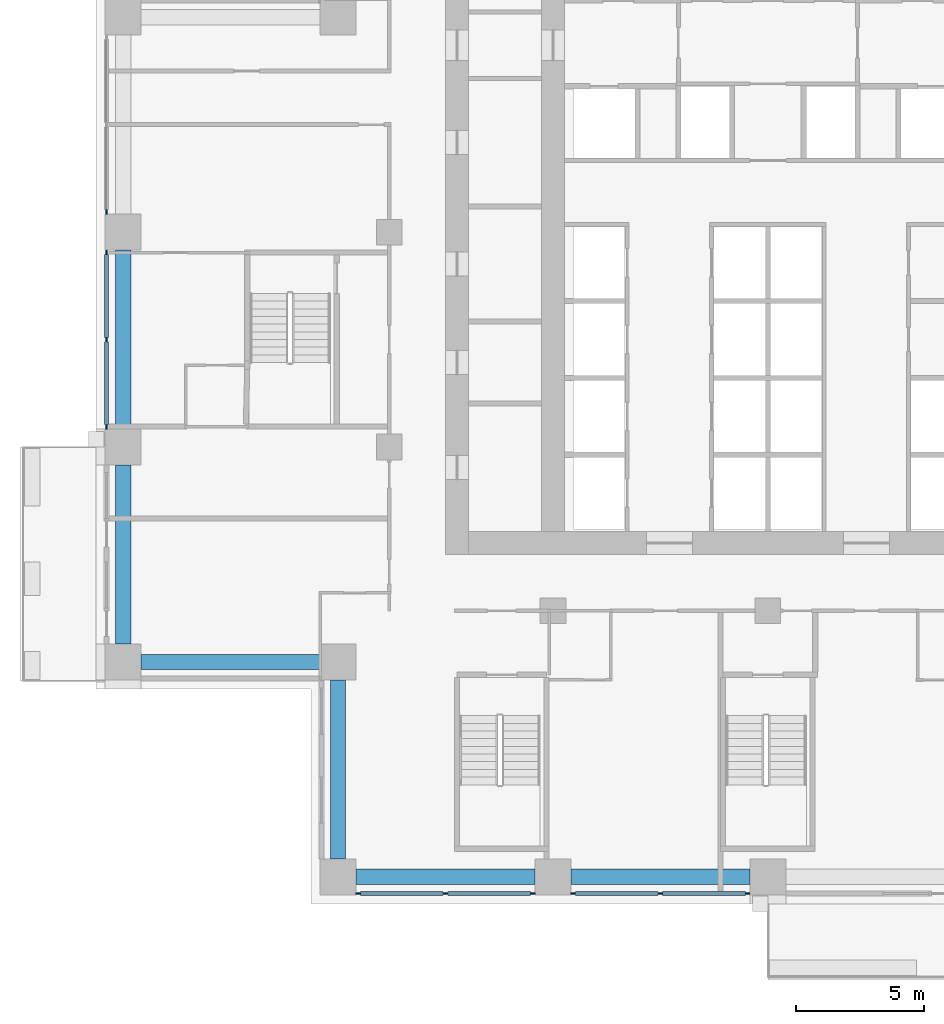
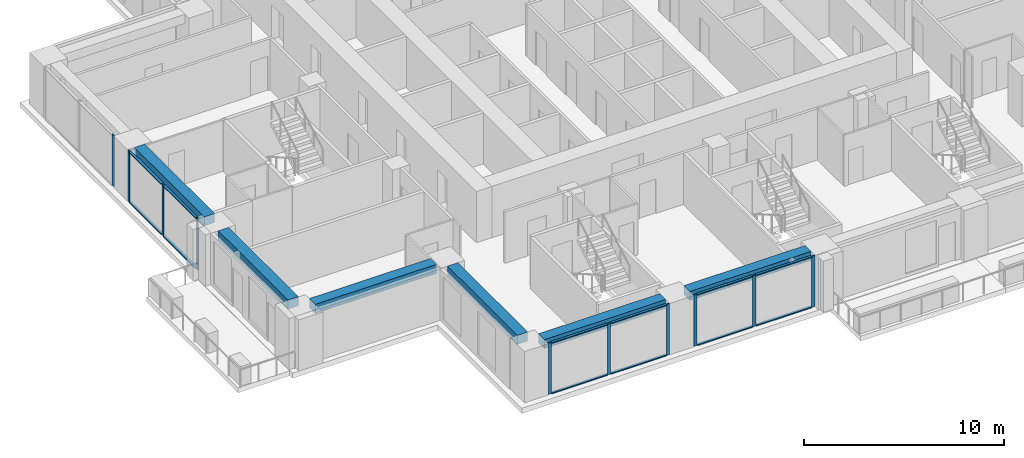
# One storey, part 2 of 17: 22 members, 6 beams, 4 elements without a shape of their own.
"""IFC4 building model written with IfcOpenShell, lengths in metres."""

import ifcopenshell
import ifcopenshell.guid

model = None  # the IFC model being written
_history = None  # IfcOwnerHistory: only IFC2X3 demands one
_inside = {}  # id of a spatial element -> (the spatial element, [elements in it])
_under = {}  # id of a project, library or spatial element -> (it, [spatial elements below it])
_declared = {}  # id of a project -> (the project, [libraries it declares])
_typed = {}  # id of a type object -> (the type object, [elements of that type])
_made_of = {}  # id of a material, layer set ... -> (it, [elements and type objects made of it])


def new_model(schema):
    """Start an empty IFC model of exactly this schema.

    Asked for "IFC4X3", IfcOpenShell would pick the latest addendum, in which some entities
    have other attributes; the version numbers below select the first issue.
    IFC2X3 requires an IfcOwnerHistory on every rooted entity: one is made here for all.
    """
    global model, _history
    if schema == "IFC4X3":
        model = ifcopenshell.file(schema_version=(4, 3, 0, 0))
    else:
        model = ifcopenshell.file(schema=schema)
    _inside.clear()
    _under.clear()
    _declared.clear()
    _typed.clear()
    _made_of.clear()
    _history = None
    if model.schema == "IFC2X3":
        org = make("IfcOrganization", Name="unknown")
        user = make(
            "IfcPersonAndOrganization",
            ThePerson=make("IfcPerson", FamilyName="unknown"),
            TheOrganization=org,
        )
        app = make(
            "IfcApplication",
            ApplicationDeveloper=org,
            Version="unknown",
            ApplicationFullName="unknown",
            ApplicationIdentifier="unknown",
        )
        _history = make(
            "IfcOwnerHistory",
            OwningUser=user,
            OwningApplication=app,
            ChangeAction="ADDED",
            CreationDate=0,
        )
    return model


def make(cls, **values):
    """One entity of the class cls with the attributes given. An attribute that is None is left unset."""
    return model.create_entity(
        cls, **{name: value for name, value in values.items() if value is not None}
    )


def rooted(cls, **values):
    """An entity with a GlobalId (a new one), such as an element, a storey or a relation."""
    return make(cls, GlobalId=ifcopenshell.guid.new(), OwnerHistory=_history, **values)


def si_unit(unit_type, name, prefix=None):
    """IfcSIUnit, for example si_unit("LENGTHUNIT", "METRE", prefix="MILLI")."""
    return make("IfcSIUnit", UnitType=unit_type, Prefix=prefix, Name=name)


def assignment(units):
    """IfcUnitAssignment: the units of a project."""
    return None if units is None else make("IfcUnitAssignment", Units=units)


def point(xyz):
    """IfcCartesianPoint."""
    return None if xyz is None else make("IfcCartesianPoint", Coordinates=xyz)


def direction(xyz):
    """IfcDirection."""
    return None if xyz is None else make("IfcDirection", DirectionRatios=xyz)


def frame(location, z_axis=None, x_axis=None):
    """IfcAxis2Placement3D, a coordinate frame: its origin and axes. An axis left out is left unset."""
    return make(
        "IfcAxis2Placement3D",
        Location=point(location),
        Axis=direction(z_axis),
        RefDirection=direction(x_axis),
    )


def frame_2d(location, x_axis=None):
    """IfcAxis2Placement2D, a coordinate frame in the plane: its origin and x axis."""
    return make(
        "IfcAxis2Placement2D", Location=point(location), RefDirection=direction(x_axis)
    )


def origin():
    """The frame at (0, 0, 0) with its axes left unset."""
    return frame((0.0, 0.0, 0.0))


def origin_2d():
    """The frame at (0, 0) in the plane with its x axis left unset."""
    return frame_2d((0.0, 0.0))


def place(relative_to, where):
    """IfcLocalPlacement: puts the frame where relative to a parent placement (None: the world)."""
    return make(
        "IfcLocalPlacement", PlacementRelTo=relative_to, RelativePlacement=where
    )


def context(
    kind, dimensions, precision=None, world=None, true_north=None, identifier=None
):
    """IfcGeometricRepresentationContext, for example the 3D "Model" context."""
    return make(
        "IfcGeometricRepresentationContext",
        ContextIdentifier=identifier,
        ContextType=kind,
        CoordinateSpaceDimension=dimensions,
        Precision=precision,
        WorldCoordinateSystem=world,
        TrueNorth=true_north,
    )


def subcontext(parent, identifier, kind, view, scale=None):
    """IfcGeometricRepresentationSubContext, for example "Body" below "Model"."""
    return make(
        "IfcGeometricRepresentationSubContext",
        ContextIdentifier=identifier,
        ContextType=kind,
        ParentContext=parent,
        TargetScale=scale,
        TargetView=view,
    )


def project(units=None, contexts=None):
    """IfcProject with its units and contexts."""
    return rooted(
        "IfcProject",
        Name="project",
        RepresentationContexts=contexts,
        UnitsInContext=assignment(units),
    )


def spatial(cls, under=None, at=None, **own):
    """A site, building, storey or space (cls), placed at a placement, below another one or the project."""
    s = rooted(cls, ObjectPlacement=at, **own)
    if under is not None:
        _under.setdefault(under.id(), (under, []))[1].append(s)
    return s


def profile(cls, at=None, kind="AREA", **sizes):
    """A parametric profile (cls). Its sizes go by their IFC names, for example OverallWidth=200.0."""
    return make(cls, ProfileType=kind, Position=at, **sizes)


def rectangle(**sizes):
    """IfcRectangleProfileDef."""
    return profile("IfcRectangleProfileDef", **sizes)


def extrude(swept, where, along, depth):
    """IfcExtrudedAreaSolid: the profile swept, set in the frame where, extruded along a direction by depth."""
    return make(
        "IfcExtrudedAreaSolid",
        SweptArea=swept,
        Position=where,
        ExtrudedDirection=direction(along),
        Depth=depth,
    )


def shape(context_of_items, identifier, shape_type, items):
    """IfcShapeRepresentation: the items that make up one representation, for example the "Body"."""
    return make(
        "IfcShapeRepresentation",
        ContextOfItems=context_of_items,
        RepresentationIdentifier=identifier,
        RepresentationType=shape_type,
        Items=items,
    )


def material(Name=None, Category=None):
    """IfcMaterial."""
    return make("IfcMaterial", Name=Name, Category=Category)


def material_profile(
    of_material, cross_section, Name=None, Category=None, Priority=None
):
    """IfcMaterialProfile: a cross section and its material."""
    return make(
        "IfcMaterialProfile",
        Name=Name,
        Material=of_material,
        Profile=cross_section,
        Priority=Priority,
        Category=Category,
    )


def profile_set(profiles, Name=None, composite=None):
    """IfcMaterialProfileSet."""
    return make(
        "IfcMaterialProfileSet",
        Name=Name,
        MaterialProfiles=profiles,
        CompositeProfile=composite,
    )


def made_of(thing, what):
    """Note that an element or type object is made of a material, layer set ...; save() writes the relation."""
    if what is not None:
        _made_of.setdefault(what.id(), (what, []))[1].append(thing)
    return thing


def type_object(cls, material=None, **own):
    """A type object (cls), such as IfcWallType, which elements share."""
    return made_of(rooted(cls, **own), material)


def element(
    cls,
    number,
    at=None,
    inside=None,
    cuts=None,
    type_object=None,
    material=None,
    context=None,
    identifier="Body",
    shape_type=None,
    held_by="IfcProductDefinitionShape",
    body=None,
    shapes=None,
    **own,
):
    """One element of the class cls, such as IfcWall. Its Tag is "e" and its number.

    at: its placement. inside: the storey or other place that contains it. cuts: it is an
    opening in that element (IfcRelVoidsElement). A single representation is given by context,
    identifier, shape_type and body (its items); several are given by shapes. held_by: the class
    of the entity that holds the representations. save() writes the other relations.
    """
    e = rooted(cls, Tag="e%d" % number, ObjectPlacement=at, **own)
    if body is not None:
        shapes = [shape(context, identifier, shape_type, body)]
    if shapes is not None:
        e.Representation = make(held_by, Representations=shapes)
    if inside is not None:
        _inside.setdefault(inside.id(), (inside, []))[1].append(e)
    if cuts is not None:
        rooted(
            "IfcRelVoidsElement", RelatingBuildingElement=cuts, RelatedOpeningElement=e
        )
    if type_object is not None:
        _typed.setdefault(type_object.id(), (type_object, []))[1].append(e)
    return made_of(e, material)


def aggregate(whole, parts):
    """IfcRelAggregates: a whole, such as a stair, and the parts it consists of."""
    return rooted("IfcRelAggregates", RelatingObject=whole, RelatedObjects=parts)


def save(model, path):
    """Write the relations noted so far, then the file.

    IfcRelAggregates (storeys below a building ...), IfcRelContainedInSpatialStructure (elements
    in a storey), IfcRelDefinesByType, IfcRelAssociatesMaterial and IfcRelDeclares: one each for
    every whole, place, type object, material and project.
    """
    for whole, parts in _under.values():
        aggregate(whole, parts)
    for where, things in _inside.values():
        rooted(
            "IfcRelContainedInSpatialStructure",
            RelatedElements=things,
            RelatingStructure=where,
        )
    for kind, things in _typed.values():
        rooted("IfcRelDefinesByType", RelatedObjects=things, RelatingType=kind)
    for what, things in _made_of.values():
        rooted("IfcRelAssociatesMaterial", RelatedObjects=things, RelatingMaterial=what)
    for by, libraries in _declared.values():
        rooted("IfcRelDeclares", RelatingContext=by, RelatedDefinitions=libraries)
    model.write(path)


model = new_model("IFC4")

# Units and contexts
model_context = context("Model", 3, precision=1e-05, world=origin(), true_north=direction((0.0, 1.0)))
body_context = subcontext(model_context, "Body", "Model", "MODEL_VIEW")
ifc_project = project(units=[si_unit("LENGTHUNIT", "METRE"), si_unit("AREAUNIT", "SQUARE_METRE"), si_unit("VOLUMEUNIT", "CUBIC_METRE"), si_unit("PLANEANGLEUNIT", "RADIAN"), si_unit("MASSUNIT", "GRAM", prefix="KILO")], contexts=[model_context])

# Site, building, storey
site_placement = place(None, origin())
site = spatial("IfcSite", under=ifc_project, at=site_placement, CompositionType="ELEMENT")
building_placement = place(site_placement, origin())
building = spatial("IfcBuilding", under=site, at=building_placement, Name="Vermilion Ogive Tower", CompositionType="ELEMENT")
storey_placement = place(building_placement, frame((0.0, 0.0, 65.550048828125)))
storey = spatial("IfcBuildingStorey", under=building, at=storey_placement, Name="L15", CompositionType="ELEMENT", Elevation=65.550048828125)

# Curtain wall, members
ifc_material_1 = material(Name="Low-iron laminated glazing in aluminium frame", Category="aluminium")
curtain_wall_type = type_object("IfcCurtainWallType", Name="Curtain wall CW7", PredefinedType="NOTDEFINED", material=ifc_material_1)
curtain_wall_1_placement = place(storey_placement, origin())
curtain_wall_1 = element("IfcCurtainWall", 1, at=curtain_wall_1_placement, inside=storey, type_object=curtain_wall_type, Name="Glazed skin S1", PredefinedType="NOTDEFINED")
ifc_material_2 = material(Name="Aluminium mullion", Category="aluminium")
ifc_material_profile_1 = material_profile(ifc_material_2, rectangle(XDim=0.06005859375, YDim=0.179931640625, at=origin_2d()), Name="AL 60x180")
ifc_profile_set_1 = profile_set([ifc_material_profile_1], Name="Aluminium mullion")
member_type_1 = type_object("IfcMemberType", Name="CW7 mullion 60x180", PredefinedType="MULLION", material=ifc_profile_set_1)
member_1_placement = place(storey_placement, frame((-16.010009765625, -21.64990234375, 0.0), z_axis=(0.0, 0.0, 1.0), x_axis=(0.0, 1.0, 0.0)))
member_1 = element("IfcMember", 2, at=member_1_placement, type_object=member_type_1, Name="CW7-S1 mullion 1", PredefinedType="MULLION", context=body_context, shape_type="SweptSolid", body=[
    extrude(rectangle(XDim=0.06005859375, YDim=0.179931640625, at=origin_2d()), origin(), (0.0, 0.0, 1.0), 3.1298828125),
])
member_2_placement = place(storey_placement, frame((-12.60009765625, -21.64990234375, 0.0), z_axis=(0.0, 0.0, 1.0), x_axis=(0.0, 1.0, 0.0)))
member_2 = element("IfcMember", 3, at=member_2_placement, type_object=member_type_1, Name="CW7-S1 mullion 2", PredefinedType="MULLION", context=body_context, shape_type="SweptSolid", body=[
    extrude(rectangle(XDim=0.06005859375, YDim=0.179931640625, at=origin_2d()), origin(), (0.0, 0.0, 1.0), 3.1298828125),
])
member_3_placement = place(storey_placement, frame((-9.18994140625, -21.64990234375, 0.0), z_axis=(0.0, 0.0, 1.0), x_axis=(0.0, 1.0, 0.0)))
member_3 = element("IfcMember", 4, at=member_3_placement, type_object=member_type_1, Name="CW7-S1 mullion 3", PredefinedType="MULLION", context=body_context, shape_type="SweptSolid", body=[
    extrude(rectangle(XDim=0.06005859375, YDim=0.179931640625, at=origin_2d()), origin(), (0.0, 0.0, 1.0), 3.1298828125),
])

curtain_wall_2_placement = place(storey_placement, origin())
curtain_wall_2 = element("IfcCurtainWall", 5, at=curtain_wall_2_placement, inside=storey, type_object=curtain_wall_type, Name="Glazed skin S2", PredefinedType="NOTDEFINED")
member_4_placement = place(storey_placement, frame((-7.610107421875, -21.64990234375, 0.0), z_axis=(0.0, 0.0, 1.0), x_axis=(0.0, 1.0, 0.0)))
member_4 = element("IfcMember", 6, at=member_4_placement, type_object=member_type_1, Name="CW7-S2 mullion 1", PredefinedType="MULLION", context=body_context, shape_type="SweptSolid", body=[
    extrude(rectangle(XDim=0.06005859375, YDim=0.179931640625, at=origin_2d()), origin(), (0.0, 0.0, 1.0), 3.1298828125),
])
member_5_placement = place(storey_placement, frame((-4.199951171875, -21.64990234375, 0.0), z_axis=(0.0, 0.0, 1.0), x_axis=(0.0, 1.0, 0.0)))
member_5 = element("IfcMember", 7, at=member_5_placement, type_object=member_type_1, Name="CW7-S2 mullion 2", PredefinedType="MULLION", context=body_context, shape_type="SweptSolid", body=[
    extrude(rectangle(XDim=0.06005859375, YDim=0.179931640625, at=origin_2d()), origin(), (0.0, 0.0, 1.0), 3.1298828125),
])
member_6_placement = place(storey_placement, frame((-0.7900390625, -21.64990234375, 0.0), z_axis=(0.0, 0.0, 1.0), x_axis=(0.0, 1.0, 0.0)))
member_6 = element("IfcMember", 8, at=member_6_placement, type_object=member_type_1, Name="CW7-S2 mullion 3", PredefinedType="MULLION", context=body_context, shape_type="SweptSolid", body=[
    extrude(rectangle(XDim=0.06005859375, YDim=0.179931640625, at=origin_2d()), origin(), (0.0, 0.0, 1.0), 3.1298828125),
])

# Curtain wall, member
curtain_wall_3_placement = place(storey_placement, origin())
curtain_wall_3 = element("IfcCurtainWall", 9, at=curtain_wall_3_placement, inside=storey, type_object=curtain_wall_type, Name="Glazed skin W1", PredefinedType="NOTDEFINED")
member_7_placement = place(storey_placement, frame((-25.85009765625, 4.989990234375, 0.0), z_axis=(0.0, 0.0, 1.0), x_axis=(1.0, 0.0, 0.0)))
member_7 = element("IfcMember", 10, at=member_7_placement, type_object=member_type_1, Name="CW7-W1 mullion 3", PredefinedType="MULLION", context=body_context, shape_type="SweptSolid", body=[
    extrude(rectangle(XDim=0.06005859375, YDim=0.179931640625, at=origin_2d()), origin(), (0.0, 0.0, 1.0), 3.1298828125),
])
aggregate(curtain_wall_3, [member_7])

# Curtain wall, members
curtain_wall_4_placement = place(storey_placement, origin())
curtain_wall_4 = element("IfcCurtainWall", 11, at=curtain_wall_4_placement, inside=storey, type_object=curtain_wall_type, Name="Glazed skin W2", PredefinedType="NOTDEFINED")
member_8_placement = place(storey_placement, frame((-25.85009765625, 3.409912109375, 0.0), z_axis=(0.0, 0.0, 1.0), x_axis=(1.0, 0.0, 0.0)))
member_8 = element("IfcMember", 12, at=member_8_placement, type_object=member_type_1, Name="CW7-W2 mullion 1", PredefinedType="MULLION", context=body_context, shape_type="SweptSolid", body=[
    extrude(rectangle(XDim=0.06005859375, YDim=0.179931640625, at=origin_2d()), origin(), (0.0, 0.0, 1.0), 3.1298828125),
])
member_9_placement = place(storey_placement, frame((-25.85009765625, 0.0, 0.0), z_axis=(0.0, 0.0, 1.0), x_axis=(1.0, 0.0, 0.0)))
member_9 = element("IfcMember", 13, at=member_9_placement, type_object=member_type_1, Name="CW7-W2 mullion 2", PredefinedType="MULLION", context=body_context, shape_type="SweptSolid", body=[
    extrude(rectangle(XDim=0.06005859375, YDim=0.179931640625, at=origin_2d()), origin(), (0.0, 0.0, 1.0), 3.1298828125),
])
member_10_placement = place(storey_placement, frame((-25.85009765625, -3.409912109375, 0.0), z_axis=(0.0, 0.0, 1.0), x_axis=(1.0, 0.0, 0.0)))
member_10 = element("IfcMember", 14, at=member_10_placement, type_object=member_type_1, Name="CW7-W2 mullion 3", PredefinedType="MULLION", context=body_context, shape_type="SweptSolid", body=[
    extrude(rectangle(XDim=0.06005859375, YDim=0.179931640625, at=origin_2d()), origin(), (0.0, 0.0, 1.0), 3.1298828125),
])

# Member
ifc_material_3 = material(Name="Aluminium transom", Category="aluminium")
ifc_material_profile_2 = material_profile(ifc_material_3, rectangle(XDim=0.139892578125, YDim=0.06005859375, at=origin_2d()), Name="AL 60x140")
ifc_profile_set_2 = profile_set([ifc_material_profile_2], Name="Aluminium transom")
member_type_2 = type_object("IfcMemberType", Name="CW7 transom 60x140", PredefinedType="USERDEFINED", material=ifc_profile_set_2)
member_11_placement = place(storey_placement, frame((-15.919921875, -21.64990234375, 0.030029296875), z_axis=(1.0, 0.0, 0.0), x_axis=(0.0, 1.0, 0.0)))
member_11 = element("IfcMember", 15, at=member_11_placement, type_object=member_type_2, Name="CW7-S1 transom 1.1", ObjectType="TRANSOM", PredefinedType="USERDEFINED", context=body_context, shape_type="SweptSolid", body=[
    extrude(rectangle(XDim=0.139892578125, YDim=0.06005859375, at=origin_2d()), origin(), (0.0, 0.0, 1.0), 3.22998046875),
])

member_12_placement = place(storey_placement, frame((-15.919921875, -21.64990234375, 3.099853515625), z_axis=(1.0, 0.0, 0.0), x_axis=(0.0, 1.0, 0.0)))
member_12 = element("IfcMember", 16, at=member_12_placement, type_object=member_type_2, Name="CW7-S1 transom 1.2", ObjectType="TRANSOM", PredefinedType="USERDEFINED", context=body_context, shape_type="SweptSolid", body=[
    extrude(rectangle(XDim=0.139892578125, YDim=0.06005859375, at=origin_2d()), origin(), (0.0, 0.0, 1.0), 3.22998046875),
])

member_13_placement = place(storey_placement, frame((-12.510009765625, -21.64990234375, 0.030029296875), z_axis=(1.0, 0.0, 0.0), x_axis=(0.0, 1.0, 0.0)))
member_13 = element("IfcMember", 17, at=member_13_placement, type_object=member_type_2, Name="CW7-S1 transom 2.1", ObjectType="TRANSOM", PredefinedType="USERDEFINED", context=body_context, shape_type="SweptSolid", body=[
    extrude(rectangle(XDim=0.139892578125, YDim=0.06005859375, at=origin_2d()), origin(), (0.0, 0.0, 1.0), 3.22998046875),
])

member_14_placement = place(storey_placement, frame((-12.510009765625, -21.64990234375, 3.099853515625), z_axis=(1.0, 0.0, 0.0), x_axis=(0.0, 1.0, 0.0)))
member_14 = element("IfcMember", 18, at=member_14_placement, type_object=member_type_2, Name="CW7-S1 transom 2.2", ObjectType="TRANSOM", PredefinedType="USERDEFINED", context=body_context, shape_type="SweptSolid", body=[
    extrude(rectangle(XDim=0.139892578125, YDim=0.06005859375, at=origin_2d()), origin(), (0.0, 0.0, 1.0), 3.22998046875),
])

aggregate(curtain_wall_1, [member_1, member_2, member_3, member_11, member_12, member_13, member_14])

member_15_placement = place(storey_placement, frame((-7.52001953125, -21.64990234375, 0.030029296875), z_axis=(1.0, 0.0, 0.0), x_axis=(0.0, 1.0, 0.0)))
member_15 = element("IfcMember", 19, at=member_15_placement, type_object=member_type_2, Name="CW7-S2 transom 1.1", ObjectType="TRANSOM", PredefinedType="USERDEFINED", context=body_context, shape_type="SweptSolid", body=[
    extrude(rectangle(XDim=0.139892578125, YDim=0.06005859375, at=origin_2d()), origin(), (0.0, 0.0, 1.0), 3.22998046875),
])

member_16_placement = place(storey_placement, frame((-7.52001953125, -21.64990234375, 3.099853515625), z_axis=(1.0, 0.0, 0.0), x_axis=(0.0, 1.0, 0.0)))
member_16 = element("IfcMember", 20, at=member_16_placement, type_object=member_type_2, Name="CW7-S2 transom 1.2", ObjectType="TRANSOM", PredefinedType="USERDEFINED", context=body_context, shape_type="SweptSolid", body=[
    extrude(rectangle(XDim=0.139892578125, YDim=0.06005859375, at=origin_2d()), origin(), (0.0, 0.0, 1.0), 3.22998046875),
])

member_17_placement = place(storey_placement, frame((-4.110107421875, -21.64990234375, 0.030029296875), z_axis=(1.0, 0.0, 0.0), x_axis=(0.0, 1.0, 0.0)))
member_17 = element("IfcMember", 21, at=member_17_placement, type_object=member_type_2, Name="CW7-S2 transom 2.1", ObjectType="TRANSOM", PredefinedType="USERDEFINED", context=body_context, shape_type="SweptSolid", body=[
    extrude(rectangle(XDim=0.139892578125, YDim=0.06005859375, at=origin_2d()), origin(), (0.0, 0.0, 1.0), 3.230224609375),
])

member_18_placement = place(storey_placement, frame((-4.110107421875, -21.64990234375, 3.099853515625), z_axis=(1.0, 0.0, 0.0), x_axis=(0.0, 1.0, 0.0)))
member_18 = element("IfcMember", 22, at=member_18_placement, type_object=member_type_2, Name="CW7-S2 transom 2.2", ObjectType="TRANSOM", PredefinedType="USERDEFINED", context=body_context, shape_type="SweptSolid", body=[
    extrude(rectangle(XDim=0.139892578125, YDim=0.06005859375, at=origin_2d()), origin(), (0.0, 0.0, 1.0), 3.230224609375),
])

aggregate(curtain_wall_2, [member_4, member_5, member_6, member_15, member_16, member_17, member_18])

member_19_placement = place(storey_placement, frame((-25.85009765625, 3.320068359375, 0.030029296875), z_axis=(0.0, -1.0, 0.0), x_axis=(1.0, 0.0, 0.0)))
member_19 = element("IfcMember", 23, at=member_19_placement, type_object=member_type_2, Name="CW7-W2 transom 1.1", ObjectType="TRANSOM", PredefinedType="USERDEFINED", context=body_context, shape_type="SweptSolid", body=[
    extrude(rectangle(XDim=0.139892578125, YDim=0.06005859375, at=origin_2d()), origin(), (0.0, 0.0, 1.0), 3.22998046875),
])

member_20_placement = place(storey_placement, frame((-25.85009765625, 3.320068359375, 3.099853515625), z_axis=(0.0, -1.0, 0.0), x_axis=(1.0, 0.0, 0.0)))
member_20 = element("IfcMember", 24, at=member_20_placement, type_object=member_type_2, Name="CW7-W2 transom 1.2", ObjectType="TRANSOM", PredefinedType="USERDEFINED", context=body_context, shape_type="SweptSolid", body=[
    extrude(rectangle(XDim=0.139892578125, YDim=0.06005859375, at=origin_2d()), origin(), (0.0, 0.0, 1.0), 3.22998046875),
])

member_21_placement = place(storey_placement, frame((-25.85009765625, -0.090087890625, 0.030029296875), z_axis=(0.0, -1.0, 0.0), x_axis=(1.0, 0.0, 0.0)))
member_21 = element("IfcMember", 25, at=member_21_placement, type_object=member_type_2, Name="CW7-W2 transom 2.1", ObjectType="TRANSOM", PredefinedType="USERDEFINED", context=body_context, shape_type="SweptSolid", body=[
    extrude(rectangle(XDim=0.139892578125, YDim=0.06005859375, at=origin_2d()), origin(), (0.0, 0.0, 1.0), 3.22998046875),
])

member_22_placement = place(storey_placement, frame((-25.85009765625, -0.090087890625, 3.099853515625), z_axis=(0.0, -1.0, 0.0), x_axis=(1.0, 0.0, 0.0)))
member_22 = element("IfcMember", 26, at=member_22_placement, type_object=member_type_2, Name="CW7-W2 transom 2.2", ObjectType="TRANSOM", PredefinedType="USERDEFINED", context=body_context, shape_type="SweptSolid", body=[
    extrude(rectangle(XDim=0.139892578125, YDim=0.06005859375, at=origin_2d()), origin(), (0.0, 0.0, 1.0), 3.22998046875),
])

aggregate(curtain_wall_4, [member_8, member_9, member_10, member_19, member_20, member_21, member_22])

# Beams
ifc_material_4 = material(Name="Concrete B45", Category="concrete")
ifc_material_profile_3 = material_profile(ifc_material_4, rectangle(XDim=0.60009765625, YDim=0.550048828125, at=origin_2d()), Name="600 x 550")
ifc_profile_set_3 = profile_set([ifc_material_profile_3], Name="Concrete B45")
beam_type = type_object("IfcBeamType", Name="Edge beam 600 x 550 B45", PredefinedType="BEAM", material=ifc_profile_set_3)
for number, where, z_axis, x_axis, name in (
    (27, (-16.10009765625, -21.0, 2.85498046875), (1.0, 0.0, 0.0), (0.0, 1.0, 0.0), "L15-EB-1"),
    (28, (-7.699951171875, -21.0, 2.85498046875), (1.0, 0.0, 0.0), (0.0, 1.0, 0.0), "L15-EB-2"),
    (29, (-25.199951171875, 3.5, 2.85498046875), (0.0, -1.0, 0.0), (1.0, 0.0, 0.0), "L15-EB-15"),
    (30, (-25.199951171875, -4.89990234375, 2.85498046875), (0.0, -1.0, 0.0), (1.0, 0.0, 0.0), "L15-EB-16"),
    (31, (-24.5, -12.60009765625, 2.85498046875), (1.0, 0.0, 0.0), (0.0, 1.0, 0.0), "L15-EB-17"),
    (32, (-16.800048828125, -13.300048828125, 2.85498046875), (0.0, -1.0, 0.0), (1.0, 0.0, 0.0), "L15-EB-18"),
):
    element("IfcBeam", number, at=place(storey_placement, frame(where, z_axis=z_axis, x_axis=x_axis)), inside=storey, type_object=beam_type, Name=name, PredefinedType="BEAM", context=body_context, shape_type="SweptSolid", body=[
        extrude(rectangle(XDim=0.60009765625, YDim=0.550048828125, at=origin_2d()), origin(), (0.0, 0.0, 1.0), 7.0),
    ])

save(model, "model.ifc")
